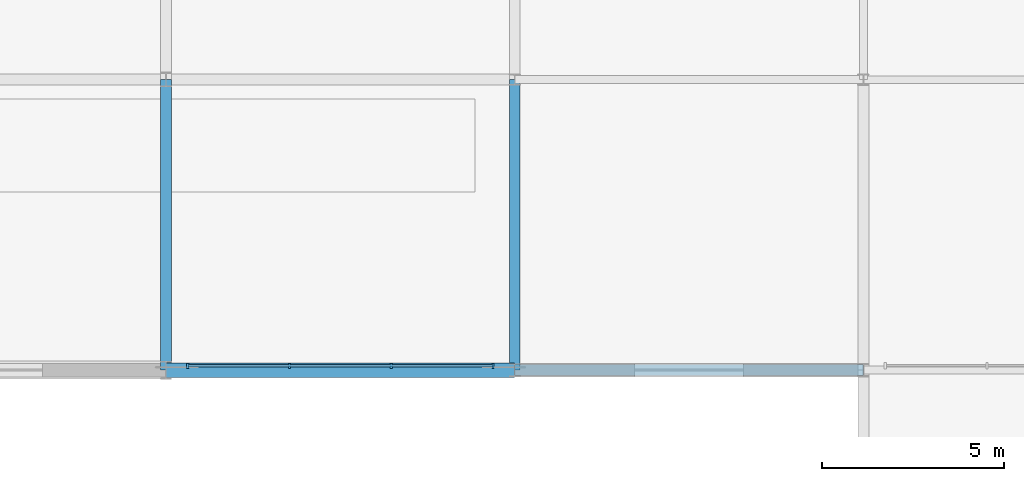
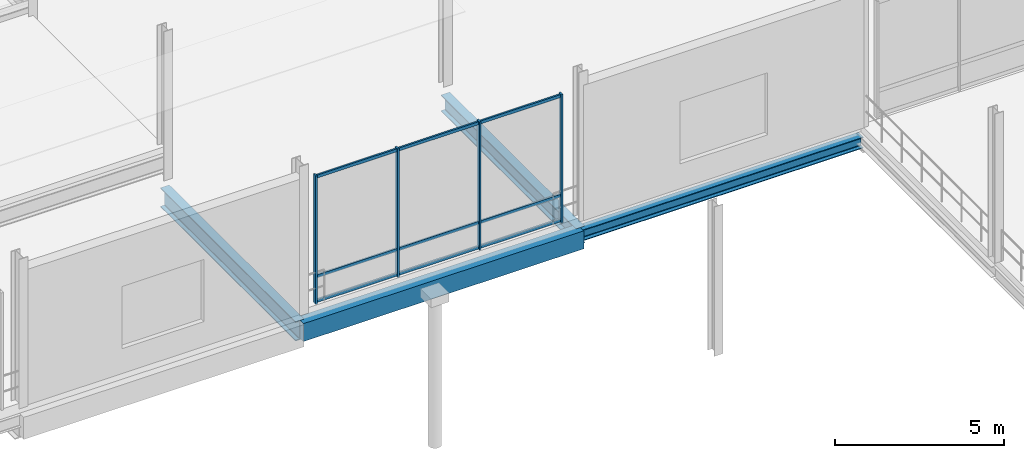
# One storey, part 59 of 129: 7 members, 4 beams, 1 element without a shape of its own.
"""IFC4 building model written with IfcOpenShell, lengths in metres."""

from ifc_helpers import new_model, si_unit, direction, frame, origin, origin_2d, place, context, subcontext, project, spatial, rectangle, i_section, extrude, material, material_profile, profile_set, type_object, element, aggregate, save


model = new_model("IFC4")

# Units and contexts
model_context = context("Model", 3, precision=1e-05, world=origin(), true_north=direction((0.0, 1.0)))
body_context = subcontext(model_context, "Body", "Model", "MODEL_VIEW")
ifc_project = project(units=[si_unit("LENGTHUNIT", "METRE"), si_unit("AREAUNIT", "SQUARE_METRE"), si_unit("VOLUMEUNIT", "CUBIC_METRE"), si_unit("PLANEANGLEUNIT", "RADIAN"), si_unit("MASSUNIT", "GRAM", prefix="KILO")], contexts=[model_context])

# Site, building, storey
site_placement = place(None, origin())
site = spatial("IfcSite", under=ifc_project, at=site_placement, CompositionType="ELEMENT")
building_placement = place(site_placement, origin())
building = spatial("IfcBuilding", under=site, at=building_placement, Name="Danafjord Basin Convention Centre", CompositionType="ELEMENT")
storey_placement = place(building_placement, frame((0.0, 0.0, 6.0)))
storey = spatial("IfcBuildingStorey", under=building, at=storey_placement, Name="L01", CompositionType="ELEMENT", Elevation=6.0)

# Beams
ifc_material_1 = material(Name="Steel S355", Category="steel")
ifc_material_profile_1 = material_profile(ifc_material_1, i_section(OverallWidth=0.300048828125, OverallDepth=0.60009765625, WebThickness=0.015380859375, FlangeThickness=0.030029296875, FilletRadius=0.027099609375, at=origin_2d()), Name="HEB 600")
ifc_profile_set_1 = profile_set([ifc_material_profile_1], Name="Steel S355")
beam_type_1 = type_object("IfcBeamType", Name="BEAM-BM-HEB600", PredefinedType="BEAM", material=ifc_profile_set_1)
beam_1_placement = place(storey_placement, frame((182.39990234375, 88.0, -0.659912109375), z_axis=(0.0, 1.0, 0.0), x_axis=(-1.0, 0.0, 0.0)))
element("IfcBeam", 1, at=beam_1_placement, inside=storey, type_object=beam_type_1, Name="L01 transverse girder BM-HEB600", PredefinedType="BEAM", context=body_context, shape_type="SweptSolid", body=[
    extrude(i_section(OverallWidth=0.300048828125, OverallDepth=0.60009765625, WebThickness=0.015380859375, FlangeThickness=0.030029296875, FilletRadius=0.027099609375, at=origin_2d()), origin(), (0.0, 0.0, 1.0), 8.0),
])
ifc_material_profile_2 = material_profile(ifc_material_1, i_section(OverallWidth=0.300048828125, OverallDepth=0.699951171875, WebThickness=0.01708984375, FlangeThickness=0.031982421875, FilletRadius=0.027099609375, at=origin_2d()), Name="HEB 700")
ifc_profile_set_2 = profile_set([ifc_material_profile_2], Name="Steel S355")
beam_type_2 = type_object("IfcBeamType", Name="BEAM-BM-HEB700", PredefinedType="BEAM", material=ifc_profile_set_2)
beam_2_placement = place(storey_placement, frame((172.800048828125, 88.0, -0.7099609375), z_axis=(0.0, 1.0, 0.0), x_axis=(-1.0, 0.0, 0.0)))
element("IfcBeam", 2, at=beam_2_placement, inside=storey, type_object=beam_type_2, Name="L01 transverse girder BM-HEB700", PredefinedType="BEAM", context=body_context, shape_type="SweptSolid", body=[
    extrude(i_section(OverallWidth=0.300048828125, OverallDepth=0.699951171875, WebThickness=0.01708984375, FlangeThickness=0.031982421875, FilletRadius=0.027099609375, at=origin_2d()), origin(), (0.0, 0.0, 1.0), 8.0),
])
ifc_material_profile_3 = material_profile(ifc_material_1, i_section(OverallWidth=0.300048828125, OverallDepth=0.39990234375, WebThickness=0.013427734375, FlangeThickness=0.02392578125, FilletRadius=0.027099609375, at=origin_2d()), Name="HEB 400")
ifc_profile_set_3 = profile_set([ifc_material_profile_3], Name="Steel S355")
beam_type_3 = type_object("IfcBeamType", Name="BEAM-SP-HEB400", PredefinedType="SPANDREL", material=ifc_profile_set_3)
beam_3_placement = place(storey_placement, frame((182.39990234375, 88.0, -0.56005859375), z_axis=(1.0, 0.0, 0.0), x_axis=(0.0, 1.0, 0.0)))
element("IfcBeam", 3, at=beam_3_placement, inside=storey, type_object=beam_type_3, Name="L01 girder SP-HEB400", PredefinedType="SPANDREL", context=body_context, shape_type="SweptSolid", body=[
    extrude(i_section(OverallWidth=0.300048828125, OverallDepth=0.39990234375, WebThickness=0.013427734375, FlangeThickness=0.02392578125, FilletRadius=0.027099609375, at=origin_2d()), origin(), (0.0, 0.0, 1.0), 9.60009765625),
])
ifc_material_2 = material(Name="Precast concrete C45/55", Category="concrete")
ifc_material_profile_4 = material_profile(ifc_material_2, rectangle(XDim=0.39990234375, YDim=0.64990234375, at=origin_2d()), Name="PCB 400x650")
ifc_profile_set_4 = profile_set([ifc_material_profile_4], Name="Precast concrete C45/55")
beam_type_4 = type_object("IfcBeamType", Name="BEAM-SP-PCB650", PredefinedType="SPANDREL", material=ifc_profile_set_4)
beam_4_placement = place(storey_placement, frame((172.800048828125, 88.0, -0.68505859375), z_axis=(1.0, 0.0, 0.0), x_axis=(0.0, 1.0, 0.0)))
element("IfcBeam", 4, at=beam_4_placement, inside=storey, type_object=beam_type_4, Name="L01 girder SP-PCB650", PredefinedType="SPANDREL", context=body_context, shape_type="SweptSolid", body=[
    extrude(rectangle(XDim=0.39990234375, YDim=0.64990234375, at=origin_2d()), origin(), (0.0, 0.0, 1.0), 9.599853515625),
])

# Curtain wall, members
ifc_material_3 = material(Name="Anodised aluminium and triple glazing", Category="aluminium")
curtain_wall_type = type_object("IfcCurtainWallType", Name="CW-CW-DRUM", PredefinedType="NOTDEFINED", material=ifc_material_3)
curtain_wall_placement = place(storey_placement, origin())
curtain_wall = element("IfcCurtainWall", 5, at=curtain_wall_placement, inside=storey, type_object=curtain_wall_type, Name="L01 CW-DRUM unitised curtain wall bay 120", PredefinedType="NOTDEFINED")
ifc_material_4 = material(Name="Anodised aluminium EN AW-6060", Category="aluminium")
ifc_material_profile_5 = material_profile(ifc_material_4, rectangle(XDim=0.06005859375, YDim=0.139892578125, at=origin_2d()), Name="MULL 60x140")
ifc_profile_set_5 = profile_set([ifc_material_profile_5], Name="Anodised aluminium EN AW-6060")
member_type_1 = type_object("IfcMemberType", Name="MEM-ML-140", PredefinedType="MULLION", material=ifc_profile_set_5)
member_1_placement = place(storey_placement, frame((173.39990234375, 88.1201171875, -0.02490234375), z_axis=(0.0, 0.0, 1.0), x_axis=(1.0, 0.0, 0.0)))
member_1 = element("IfcMember", 6, at=member_1_placement, type_object=member_type_1, Name="CW-L01-120 mullion 1", PredefinedType="MULLION", context=body_context, shape_type="SweptSolid", body=[
    extrude(rectangle(XDim=0.06005859375, YDim=0.139892578125, at=origin_2d()), origin(), (0.0, 0.0, 1.0), 4.65478515625),
])
member_2_placement = place(storey_placement, frame((176.199951171875, 88.1201171875, -0.02490234375), z_axis=(0.0, 0.0, 1.0), x_axis=(1.0, 0.0, 0.0)))
member_2 = element("IfcMember", 7, at=member_2_placement, type_object=member_type_1, Name="CW-L01-120 mullion 2", PredefinedType="MULLION", context=body_context, shape_type="SweptSolid", body=[
    extrude(rectangle(XDim=0.06005859375, YDim=0.139892578125, at=origin_2d()), origin(), (0.0, 0.0, 1.0), 4.65478515625),
])
member_3_placement = place(storey_placement, frame((179.0, 88.1201171875, -0.02490234375), z_axis=(0.0, 0.0, 1.0), x_axis=(1.0, 0.0, 0.0)))
member_3 = element("IfcMember", 8, at=member_3_placement, type_object=member_type_1, Name="CW-L01-120 mullion 3", PredefinedType="MULLION", context=body_context, shape_type="SweptSolid", body=[
    extrude(rectangle(XDim=0.06005859375, YDim=0.139892578125, at=origin_2d()), origin(), (0.0, 0.0, 1.0), 4.65478515625),
])
member_4_placement = place(storey_placement, frame((181.800048828125, 88.1201171875, -0.02490234375), z_axis=(0.0, 0.0, 1.0), x_axis=(1.0, 0.0, 0.0)))
member_4 = element("IfcMember", 9, at=member_4_placement, type_object=member_type_1, Name="CW-L01-120 mullion 4", PredefinedType="MULLION", context=body_context, shape_type="SweptSolid", body=[
    extrude(rectangle(XDim=0.06005859375, YDim=0.139892578125, at=origin_2d()), origin(), (0.0, 0.0, 1.0), 4.65478515625),
])
ifc_material_profile_6 = material_profile(ifc_material_4, rectangle(XDim=0.06005859375, YDim=0.110107421875, at=origin_2d()), Name="TRAN 60x110")
ifc_profile_set_6 = profile_set([ifc_material_profile_6], Name="Anodised aluminium EN AW-6060")
member_type_2 = type_object("IfcMemberType", Name="MEM-TR-110", PredefinedType="USERDEFINED", material=ifc_profile_set_6)
member_5_placement = place(storey_placement, frame((173.39990234375, 88.1201171875, 0.06005859375), z_axis=(1.0, 0.0, 0.0), x_axis=(0.0, 1.0, 0.0)))
member_5 = element("IfcMember", 10, at=member_5_placement, type_object=member_type_2, Name="CW-L01-120 transom 1", ObjectType="TRANSOM", PredefinedType="USERDEFINED", context=body_context, shape_type="SweptSolid", body=[
    extrude(rectangle(XDim=0.06005859375, YDim=0.110107421875, at=origin_2d()), origin(), (0.0, 0.0, 1.0), 8.400146484375),
])
member_6_placement = place(storey_placement, frame((173.39990234375, 88.1201171875, 0.949951171875), z_axis=(1.0, 0.0, 0.0), x_axis=(0.0, 1.0, 0.0)))
member_6 = element("IfcMember", 11, at=member_6_placement, type_object=member_type_2, Name="CW-L01-120 transom 2", ObjectType="TRANSOM", PredefinedType="USERDEFINED", context=body_context, shape_type="SweptSolid", body=[
    extrude(rectangle(XDim=0.06005859375, YDim=0.110107421875, at=origin_2d()), origin(), (0.0, 0.0, 1.0), 8.400146484375),
])
member_7_placement = place(storey_placement, frame((173.39990234375, 88.1201171875, 4.56005859375), z_axis=(1.0, 0.0, 0.0), x_axis=(0.0, 1.0, 0.0)))
member_7 = element("IfcMember", 12, at=member_7_placement, type_object=member_type_2, Name="CW-L01-120 transom 3", ObjectType="TRANSOM", PredefinedType="USERDEFINED", context=body_context, shape_type="SweptSolid", body=[
    extrude(rectangle(XDim=0.06005859375, YDim=0.110107421875, at=origin_2d()), origin(), (0.0, 0.0, 1.0), 8.400146484375),
])
aggregate(curtain_wall, [member_1, member_2, member_3, member_4, member_5, member_6, member_7])

save(model, "model.ifc")
